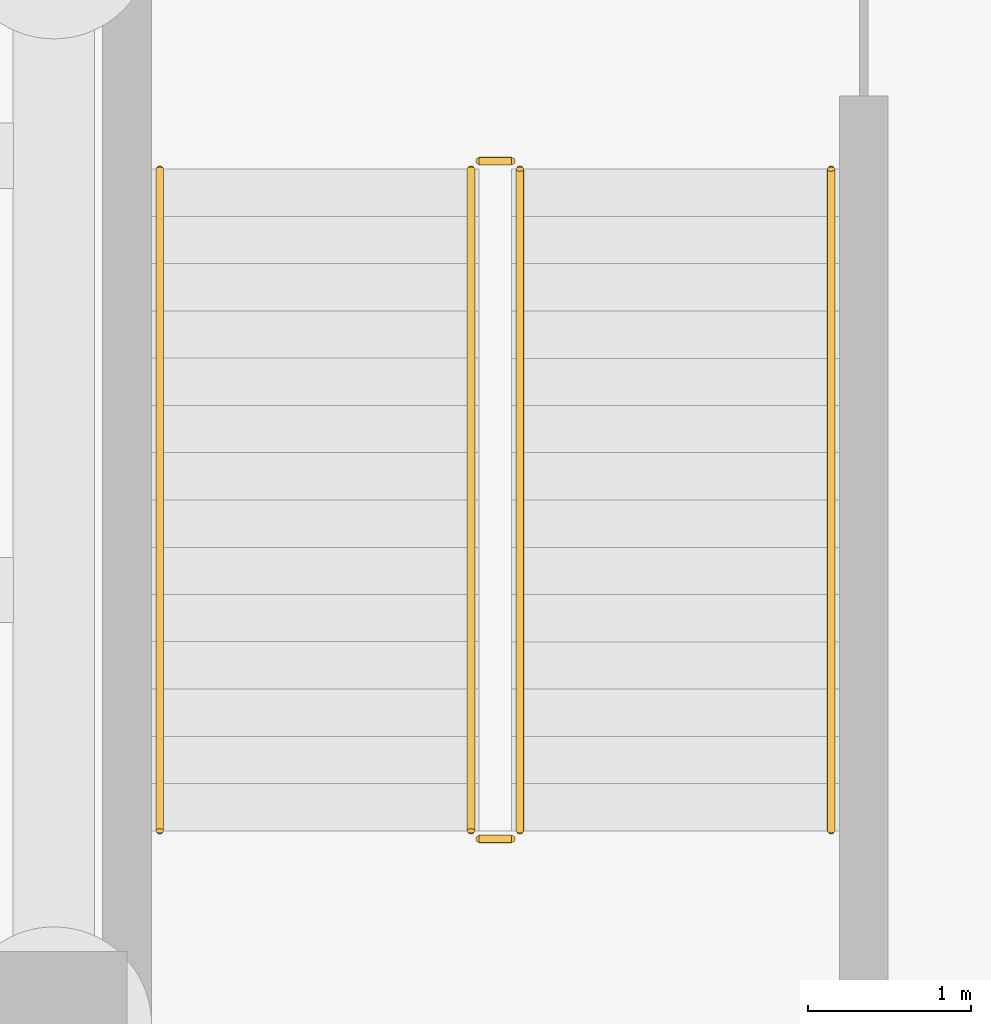
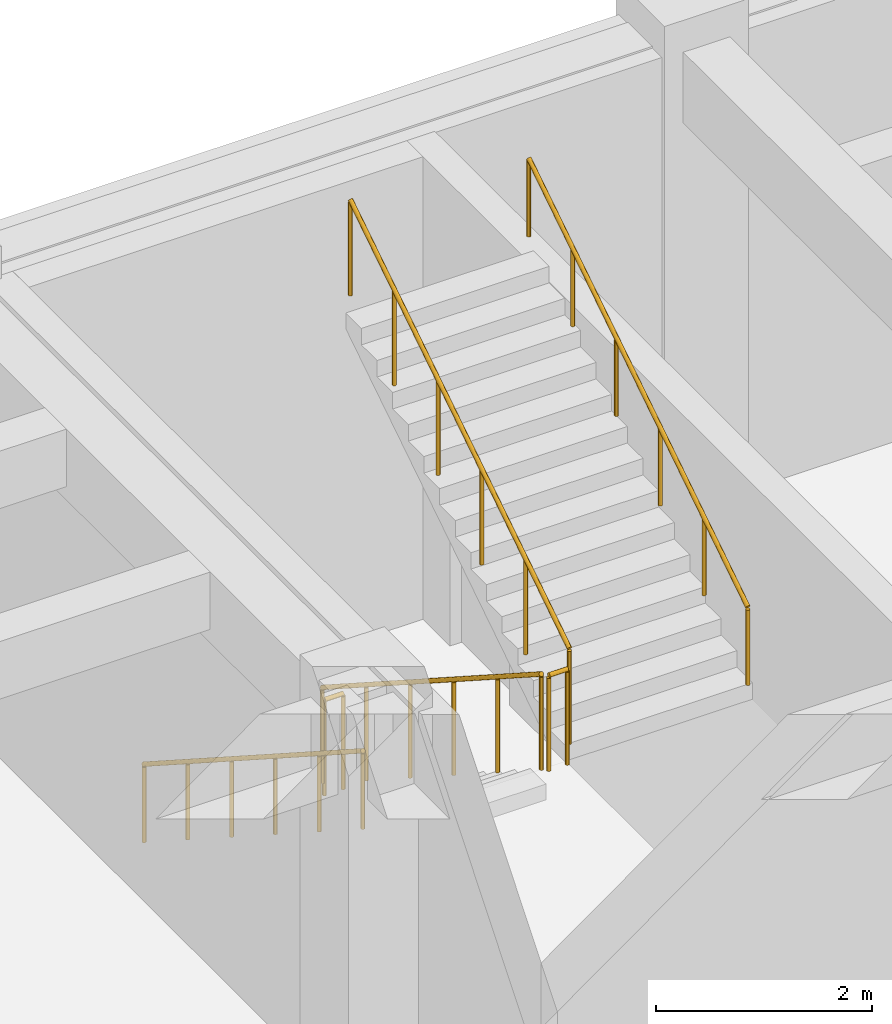
# One storey, part 17 of 18: 6 railings.
"""IFC4 building model written with IfcOpenShell, lengths in metres."""

from ifc_helpers import new_model, si_unit, direction, frame, origin, origin_2d, place, context, subcontext, project, spatial, circle, extrude, material, type_object, element, save


model = new_model("IFC4")

# Units and contexts
model_context = context("Model", 3, precision=1e-05, world=origin(), true_north=direction((0.0, 1.0)))
body_context = subcontext(model_context, "Body", "Model", "MODEL_VIEW")
ifc_project = project(units=[si_unit("LENGTHUNIT", "METRE"), si_unit("AREAUNIT", "SQUARE_METRE"), si_unit("VOLUMEUNIT", "CUBIC_METRE"), si_unit("PLANEANGLEUNIT", "RADIAN"), si_unit("MASSUNIT", "GRAM", prefix="KILO")], contexts=[model_context])

# Site, building, storey
site_placement = place(None, origin())
site = spatial("IfcSite", under=ifc_project, at=site_placement, CompositionType="ELEMENT")
building_placement = place(site_placement, origin())
building = spatial("IfcBuilding", under=site, at=building_placement, Name="Drelvath Fold Interchange", CompositionType="ELEMENT")
storey_placement = place(building_placement, frame((0.0, 0.0, -11.199951171875)))
storey = spatial("IfcBuildingStorey", under=building, at=storey_placement, Name="B2", CompositionType="ELEMENT", Elevation=-11.199951171875)

# Railings
ifc_material = material(Name="Stainless Steel 316L", Category="steel")
railing_type_1 = type_object("IfcRailingType", Name="RL-GRD1100", PredefinedType="GUARDRAIL", material=ifc_material)
railing_1_placement = place(storey_placement, frame((70.56005859375, 96.25, 0.1865234375)))
element("IfcRailing", 1, at=railing_1_placement, inside=storey, type_object=railing_type_1, Name="B2 ST-06 stair guard 1", PredefinedType="GUARDRAIL", context=body_context, shape_type="SweptSolid", body=[
    extrude(circle(Radius=0.02392578125, at=origin_2d()), frame((0.0, 0.0, 1.076171875), z_axis=(0.0, -0.840849756928, 0.541268589772), x_axis=(1.0, 0.0, 0.0)), (0.0, 0.0, 1.0), 4.82861328125),
    extrude(circle(Radius=0.02099609375, at=origin_2d()), origin(), (0.0, 0.0, 1.0), 1.052001953125),
    extrude(circle(Radius=0.02099609375, at=origin_2d()), frame((0.0, -0.81201171875, 0.522705078125)), (0.0, 0.0, 1.0), 1.052001953125),
    extrude(circle(Radius=0.02099609375, at=origin_2d()), frame((0.0, -1.6240234375, 1.04541015625)), (0.0, 0.0, 1.0), 1.052001953125),
    extrude(circle(Radius=0.02099609375, at=origin_2d()), frame((0.0, -2.43603515625, 1.568115234375)), (0.0, 0.0, 1.0), 1.052001953125),
    extrude(circle(Radius=0.02099609375, at=origin_2d()), frame((0.0, -3.248046875, 2.0908203125)), (0.0, 0.0, 1.0), 1.052001953125),
    extrude(circle(Radius=0.02099609375, at=origin_2d()), frame((0.0, -4.06005859375, 2.613525390625)), (0.0, 0.0, 1.0), 1.052001953125),
])
railing_2_placement = place(storey_placement, frame((70.610107421875, 92.139892578125, 2.800048828125)))
element("IfcRailing", 2, at=railing_2_placement, inside=storey, type_object=railing_type_1, Name="B2 ST-06 stair guard 2", PredefinedType="GUARDRAIL", context=body_context, shape_type="SweptSolid", body=[
    extrude(circle(Radius=0.02392578125, at=origin_2d()), frame((0.0, 0.0, 1.076171875), z_axis=(1.0, 0.0, 0.0), x_axis=(0.0, 1.0, 0.0)), (0.0, 0.0, 1.0), 0.199951171875),
    extrude(circle(Radius=0.02099609375, at=origin_2d()), origin(), (0.0, 0.0, 1.0), 1.052001953125),
    extrude(circle(Radius=0.02099609375, at=origin_2d()), frame((0.199951171875, 0.0, 0.0)), (0.0, 0.0, 1.0), 1.052001953125),
])
railing_3_placement = place(storey_placement, frame((70.860107421875, 92.18994140625, 2.986572265625)))
element("IfcRailing", 3, at=railing_3_placement, inside=storey, type_object=railing_type_1, Name="B2 ST-06 stair guard 3", PredefinedType="GUARDRAIL", context=body_context, shape_type="SweptSolid", body=[
    extrude(circle(Radius=0.02392578125, at=origin_2d()), frame((0.0, 0.0, 1.076171875), z_axis=(0.0, 0.840872768958, 0.541232839382), x_axis=(-1.0, 0.0, 0.0)), (0.0, 0.0, 1.0), 4.828369140625),
    extrude(circle(Radius=0.02099609375, at=origin_2d()), origin(), (0.0, 0.0, 1.0), 1.052001953125),
    extrude(circle(Radius=0.02099609375, at=origin_2d()), frame((0.0, 0.81201171875, 0.522705078125)), (0.0, 0.0, 1.0), 1.052001953125),
    extrude(circle(Radius=0.02099609375, at=origin_2d()), frame((0.0, 1.6240234375, 1.04541015625)), (0.0, 0.0, 1.0), 1.052001953125),
    extrude(circle(Radius=0.02099609375, at=origin_2d()), frame((0.0, 2.43603515625, 1.56787109375)), (0.0, 0.0, 1.0), 1.052001953125),
    extrude(circle(Radius=0.02099609375, at=origin_2d()), frame((0.0, 3.248046875, 2.090576171875)), (0.0, 0.0, 1.0), 1.052001953125),
    extrude(circle(Radius=0.02099609375, at=origin_2d()), frame((0.0, 4.06005859375, 2.61328125)), (0.0, 0.0, 1.0), 1.052001953125),
])
railing_4_placement = place(storey_placement, frame((70.610107421875, 96.300048828125, 0.0)))
element("IfcRailing", 4, at=railing_4_placement, inside=storey, type_object=railing_type_1, Name="B2 ST-06 stair guard 4", PredefinedType="GUARDRAIL", context=body_context, shape_type="SweptSolid", body=[
    extrude(circle(Radius=0.02392578125, at=origin_2d()), frame((0.0, 0.0, 1.076171875), z_axis=(1.0, 0.0, 0.0), x_axis=(0.0, 1.0, 0.0)), (0.0, 0.0, 1.0), 0.199951171875),
    extrude(circle(Radius=0.02099609375, at=origin_2d()), origin(), (0.0, 0.0, 1.0), 1.052001953125),
    extrude(circle(Radius=0.02099609375, at=origin_2d()), frame((0.199951171875, 0.0, 0.0)), (0.0, 0.0, 1.0), 1.052001953125),
])
railing_type_2 = type_object("IfcRailingType", Name="RL-HND920", PredefinedType="HANDRAIL", material=ifc_material)
railing_5_placement = place(storey_placement, frame((68.64990234375, 96.25, 0.1865234375)))
element("IfcRailing", 5, at=railing_5_placement, inside=storey, type_object=railing_type_2, Name="B2 ST-06 stair handrail 1", PredefinedType="HANDRAIL", context=body_context, shape_type="SweptSolid", body=[
    extrude(circle(Radius=0.02392578125, at=origin_2d()), frame((0.0, 0.0, 0.8759765625), z_axis=(0.0, -0.840849756928, 0.541268589772), x_axis=(1.0, 0.0, 0.0)), (0.0, 0.0, 1.0), 4.82861328125),
    extrude(circle(Radius=0.02099609375, at=origin_2d()), origin(), (0.0, 0.0, 1.0), 0.851806640625),
    extrude(circle(Radius=0.02099609375, at=origin_2d()), frame((0.0, -0.81201171875, 0.522705078125)), (0.0, 0.0, 1.0), 0.851806640625),
    extrude(circle(Radius=0.02099609375, at=origin_2d()), frame((0.0, -1.6240234375, 1.04541015625)), (0.0, 0.0, 1.0), 0.851806640625),
    extrude(circle(Radius=0.02099609375, at=origin_2d()), frame((0.0, -2.43603515625, 1.568115234375)), (0.0, 0.0, 1.0), 0.851806640625),
    extrude(circle(Radius=0.02099609375, at=origin_2d()), frame((0.0, -3.248046875, 2.0908203125)), (0.0, 0.0, 1.0), 0.851806640625),
    extrude(circle(Radius=0.02099609375, at=origin_2d()), frame((0.0, -4.06005859375, 2.613525390625)), (0.0, 0.0, 1.0), 0.851806640625),
])
railing_6_placement = place(storey_placement, frame((72.77001953125, 92.18994140625, 2.986572265625)))
element("IfcRailing", 6, at=railing_6_placement, inside=storey, type_object=railing_type_2, Name="B2 ST-06 stair handrail 2", PredefinedType="HANDRAIL", context=body_context, shape_type="SweptSolid", body=[
    extrude(circle(Radius=0.02392578125, at=origin_2d()), frame((0.0, 0.0, 0.8759765625), z_axis=(0.0, 0.840872768958, 0.541232839382), x_axis=(-1.0, 0.0, 0.0)), (0.0, 0.0, 1.0), 4.828369140625),
    extrude(circle(Radius=0.02099609375, at=origin_2d()), origin(), (0.0, 0.0, 1.0), 0.851806640625),
    extrude(circle(Radius=0.02099609375, at=origin_2d()), frame((0.0, 0.81201171875, 0.522705078125)), (0.0, 0.0, 1.0), 0.851806640625),
    extrude(circle(Radius=0.02099609375, at=origin_2d()), frame((0.0, 1.6240234375, 1.04541015625)), (0.0, 0.0, 1.0), 0.851806640625),
    extrude(circle(Radius=0.02099609375, at=origin_2d()), frame((0.0, 2.43603515625, 1.56787109375)), (0.0, 0.0, 1.0), 0.851806640625),
    extrude(circle(Radius=0.02099609375, at=origin_2d()), frame((0.0, 3.248046875, 2.090576171875)), (0.0, 0.0, 1.0), 0.851806640625),
    extrude(circle(Radius=0.02099609375, at=origin_2d()), frame((0.0, 4.06005859375, 2.61328125)), (0.0, 0.0, 1.0), 0.851806640625),
])

save(model, "model.ifc")
